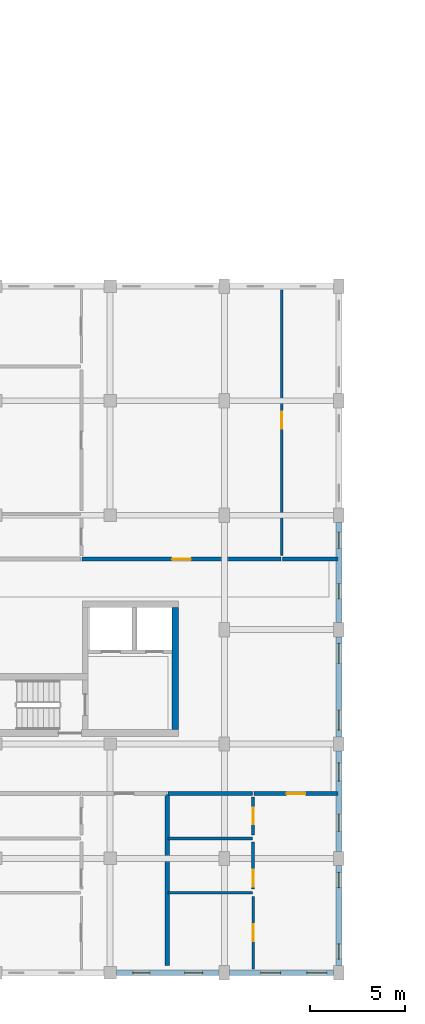
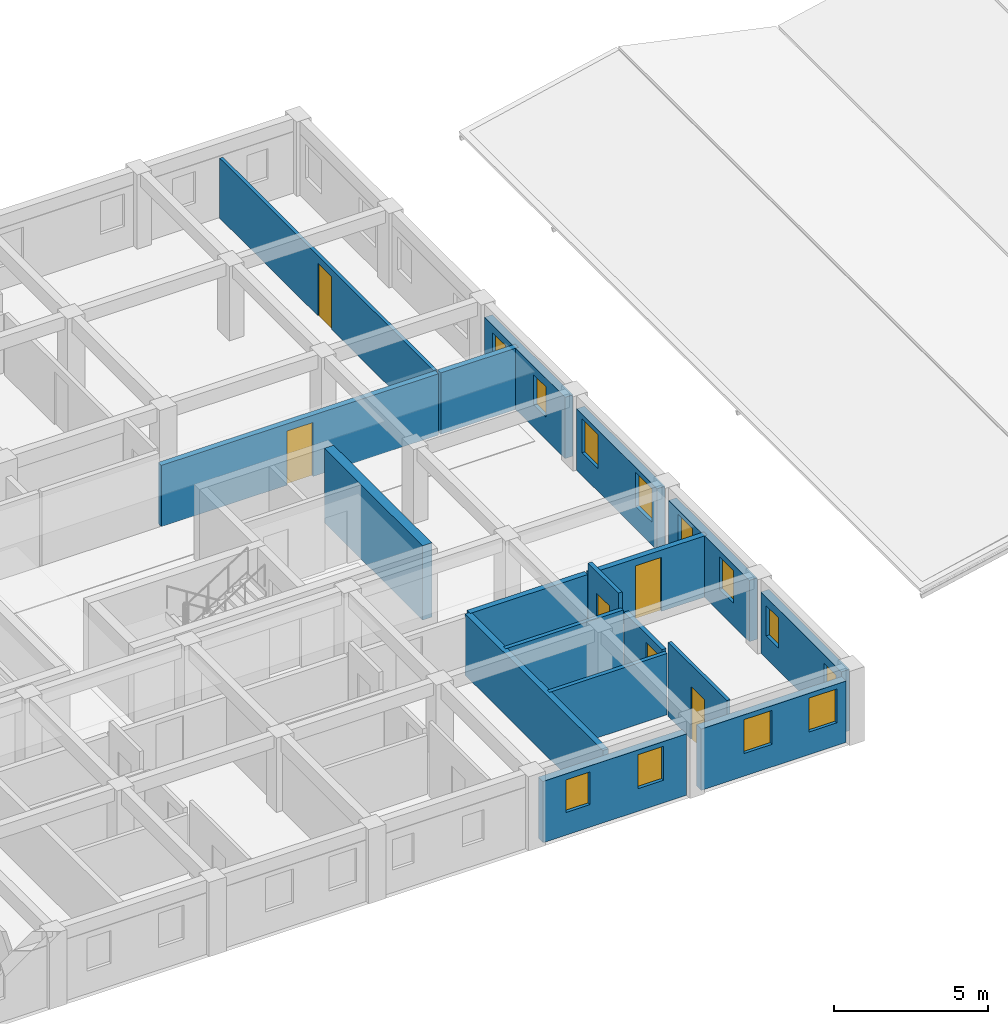
# One storey, part 95 of 123: 18 walls, 12 windows, 6 doors, 18 openings.
"""IFC4 building model written with IfcOpenShell, lengths in metres."""

from ifc_helpers import new_model, si_unit, direction, frame, frame_2d, origin, place, context, subcontext, project, spatial, rectangle, extrude, material, layer, layer_set, type_object, element, fill, save


model = new_model("IFC4")

# Units and contexts
model_context = context("Model", 3, precision=1e-05, world=origin(), true_north=direction((0.0, 1.0)))
body_context = subcontext(model_context, "Body", "Model", "MODEL_VIEW")
ifc_project = project(units=[si_unit("LENGTHUNIT", "METRE"), si_unit("AREAUNIT", "SQUARE_METRE"), si_unit("VOLUMEUNIT", "CUBIC_METRE"), si_unit("PLANEANGLEUNIT", "RADIAN"), si_unit("MASSUNIT", "GRAM", prefix="KILO"), si_unit("POWERUNIT", "WATT"), si_unit("THERMODYNAMICTEMPERATUREUNIT", "KELVIN")], contexts=[model_context])

# Site, building, storey
site_placement = place(None, origin())
site = spatial("IfcSite", under=ifc_project, at=site_placement, CompositionType="ELEMENT")
building_placement = place(site_placement, origin())
building = spatial("IfcBuilding", under=site, at=building_placement, Name="Ruvembo Vaulted Housing Court", CompositionType="ELEMENT")
storey_placement = place(building_placement, frame((0.0, 0.0, 7.699951171875)))
storey = spatial("IfcBuildingStorey", under=building, at=storey_placement, Name="L02", CompositionType="ELEMENT", Elevation=7.699951171875)

# Walls
ifc_material_1 = material(Name="Concrete C35/45", Category="concrete")
ifc_layer_1 = layer(ifc_material_1, 0.35009765625, Name="Concrete C35/45")
ifc_layer_set_1 = layer_set([ifc_layer_1], Name="Concrete C35/45")
wall_type_1 = type_object("IfcWallType", Name="WL-CORE-350", PredefinedType="SHEAR", material=ifc_layer_set_1)
wall_1_placement = place(storey_placement, frame((129.425048828125, 12.75, 0.0), z_axis=(0.0, 0.0, 1.0), x_axis=(0.0, 1.0, 0.0)))
element("IfcWall", 1, at=wall_1_placement, inside=storey, type_object=wall_type_1, Name="Core C2 L02 East Shear Wall", PredefinedType="SHEAR", context=body_context, shape_type="SweptSolid", body=[
    extrude(rectangle(XDim=6.39990234375, YDim=0.35009765625, at=frame_2d((3.199951171875, 0.0))), origin(), (0.0, 0.0, 1.0), 2.955078125),
])
ifc_material_2 = material(Name="Concrete Blockwork 210", Category="masonry")
ifc_layer_2 = layer(ifc_material_2, 0.2099609375, Name="Concrete Blockwork 210")
ifc_layer_set_2 = layer_set([ifc_layer_2], Name="Concrete Blockwork 210")
wall_type_2 = type_object("IfcWallType", Name="WL-CORR-210", PredefinedType="SOLIDWALL", material=ifc_layer_set_2)
wall_2_placement = place(storey_placement, frame((129.0400390625, 9.39990234375, 0.0), z_axis=(0.0, 0.0, 1.0), x_axis=(1.0, 0.0, 0.0)))
element("IfcWall", 2, at=wall_2_placement, inside=storey, type_object=wall_type_2, Name="L02 Flat C-L02-S4 Corridor Wall WL-INT-L02-00606", PredefinedType="SOLIDWALL", context=body_context, shape_type="SweptSolid", body=[
    extrude(rectangle(XDim=4.419921875, YDim=0.2099609375, at=frame_2d((2.2099609375, 0.0))), origin(), (0.0, 0.0, 1.0), 2.43701171875),
])

# Wall, opening, door
wall_3_placement = place(storey_placement, frame((133.5400390625, 9.39990234375, 0.0), z_axis=(0.0, 0.0, 1.0), x_axis=(1.0, 0.0, 0.0)))
wall_3 = element("IfcWall", 3, at=wall_3_placement, inside=storey, type_object=wall_type_2, Name="L02 Flat C-L02-S4 Entrance WL-INT-L02-00607", PredefinedType="SOLIDWALL", context=body_context, shape_type="SweptSolid", body=[
    extrude(rectangle(XDim=4.419921875, YDim=0.2099609375, at=frame_2d((2.2099609375, 0.0))), origin(), (0.0, 0.0, 1.0), 2.43701171875),
])
opening_1_placement = place(wall_3_placement, frame((1.719970703125, 0.0, 0.0)))
opening_1 = element("IfcOpeningElement", 4, at=opening_1_placement, cuts=wall_3, Name="Opening FD2", PredefinedType="OPENING", context=body_context, shape_type="SweptSolid", body=[
    extrude(rectangle(XDim=0.97998046875, YDim=2.14990234375, at=frame_2d((0.489990234375, 1.074951171875))), frame((0.0, 0.114990234375, 0.0), z_axis=(0.0, -1.0, 0.0), x_axis=(1.0, 0.0, 0.0)), (0.0, 0.0, 1.0), 0.22998046875),
])
ifc_material_3 = material(Name="FSC Hardwood and Engineered Timber", Category="wood")
door_type_1 = type_object("IfcDoorType", Name="DR-FLAT-0980x2150", OperationType="NOTDEFINED", PredefinedType="DOOR", material=ifc_material_3)
door_1_placement = place(opening_1_placement, origin())
door_1 = element("IfcDoor", 5, at=door_1_placement, inside=storey, type_object=door_type_1, Name="L02 Flat C-L02-S4 Entrance Door DR-INT-L02-00328", OperationType="SINGLE_SWING_RIGHT", OverallHeight=2.14990234375, OverallWidth=0.97998046875, PredefinedType="DOOR", context=body_context, shape_type="SweptSolid", body=[
    extrude(rectangle(XDim=0.97998046875, YDim=2.14990234375, at=frame_2d((0.489990234375, 1.074951171875))), frame((0.0, 0.02490234375, 0.0), z_axis=(0.0, -1.0, 0.0), x_axis=(1.0, 0.0, 0.0)), (0.0, 0.0, 1.0), 0.050048828125),
])
fill(opening_1, door_1)

wall_4_placement = place(storey_placement, frame((124.5400390625, 21.699951171875, 0.0), z_axis=(0.0, 0.0, 1.0), x_axis=(1.0, 0.0, 0.0)))
wall_4 = element("IfcWall", 6, at=wall_4_placement, inside=storey, type_object=wall_type_2, Name="L02 Flat C-L02-N2 Entrance WL-INT-L02-00624", PredefinedType="SOLIDWALL", context=body_context, shape_type="SweptSolid", body=[
    extrude(rectangle(XDim=10.419921875, YDim=0.2099609375, at=frame_2d((5.2099609375, 0.0))), origin(), (0.0, 0.0, 1.0), 2.43701171875),
])
opening_2_placement = place(wall_4_placement, frame((4.719970703125, 0.0, 0.0)))
opening_2 = element("IfcOpeningElement", 7, at=opening_2_placement, cuts=wall_4, Name="Opening FD2", PredefinedType="OPENING", context=body_context, shape_type="SweptSolid", body=[
    extrude(rectangle(XDim=0.97998046875, YDim=2.14990234375, at=frame_2d((0.489990234375, 1.074951171875))), frame((0.0, 0.114990234375, 0.0), z_axis=(0.0, -1.0, 0.0), x_axis=(1.0, 0.0, 0.0)), (0.0, 0.0, 1.0), 0.22998046875),
])
door_2_placement = place(opening_2_placement, origin())
door_2 = element("IfcDoor", 8, at=door_2_placement, inside=storey, type_object=door_type_1, Name="L02 Flat C-L02-N2 Entrance Door DR-INT-L02-00337", OperationType="SINGLE_SWING_LEFT", OverallHeight=2.14990234375, OverallWidth=0.97998046875, PredefinedType="DOOR", context=body_context, shape_type="SweptSolid", body=[
    extrude(rectangle(XDim=0.97998046875, YDim=2.14990234375, at=frame_2d((0.489990234375, 1.074951171875))), frame((0.0, 0.02490234375, 0.0), z_axis=(0.0, -1.0, 0.0), x_axis=(1.0, 0.0, 0.0)), (0.0, 0.0, 1.0), 0.050048828125),
])
fill(opening_2, door_2)

# Walls
wall_5_placement = place(storey_placement, frame((135.0400390625, 21.699951171875, 0.0), z_axis=(0.0, 0.0, 1.0), x_axis=(1.0, 0.0, 0.0)))
element("IfcWall", 9, at=wall_5_placement, inside=storey, type_object=wall_type_2, Name="L02 Flat C-L02-N2 Corridor Wall 2 WL-INT-L02-00630", PredefinedType="SOLIDWALL", context=body_context, shape_type="SweptSolid", body=[
    extrude(rectangle(XDim=2.919921875, YDim=0.2099609375, at=frame_2d((1.4599609375, 0.0))), origin(), (0.0, 0.0, 1.0), 2.43701171875),
])
ifc_material_4 = material(Name="Acoustic Masonry Demising 220", Category="masonry")
ifc_layer_3 = layer(ifc_material_4, 0.219970703125, Name="Acoustic Masonry Demising 220")
ifc_layer_set_3 = layer_set([ifc_layer_3], Name="Acoustic Masonry Demising 220")
wall_type_3 = type_object("IfcWallType", Name="WL-DEM-200", PredefinedType="SOLIDWALL", material=ifc_layer_set_3)
wall_6_placement = place(storey_placement, frame((129.0, 0.389892578125, 0.0), z_axis=(0.0, 0.0, 1.0), x_axis=(0.0, 1.0, 0.0)))
element("IfcWall", 10, at=wall_6_placement, inside=storey, type_object=wall_type_3, Name="L02 Demising C-L02-S3 WL-INT-L02-00598", PredefinedType="SOLIDWALL", context=body_context, shape_type="SweptSolid", body=[
    extrude(rectangle(XDim=8.97021484375, YDim=0.219970703125, at=frame_2d((4.485107421875, 0.0))), origin(), (0.0, 0.0, 1.0), 2.43701171875),
])

# Wall, openings, windows
ifc_material_5 = material(Name="Rendered Masonry 300", Category="masonry")
ifc_layer_4 = layer(ifc_material_5, 0.300048828125, Name="Rendered Masonry 300")
ifc_layer_set_4 = layer_set([ifc_layer_4], Name="Rendered Masonry 300")
wall_type_4 = type_object("IfcWallType", Name="WL-EXT-300", PredefinedType="STANDARD", material=ifc_layer_set_4)
wall_7_placement = place(storey_placement, frame((126.324951171875, 0.0, 0.0), z_axis=(0.0, 0.0, 1.0), x_axis=(1.0, 0.0, 0.0)))
wall_7 = element("IfcWall", 11, at=wall_7_placement, inside=storey, type_object=wall_type_4, Name="Block C L02 Exterior Wall STREET #5", PredefinedType="STANDARD", context=body_context, shape_type="SweptSolid", body=[
    extrude(rectangle(XDim=5.400146484375, YDim=0.300048828125, at=frame_2d((2.7001953125, 0.0))), origin(), (0.0, 0.0, 1.0), 2.43701171875),
])
opening_3_placement = place(wall_7_placement, frame((0.867431640625, 0.0, 0.89990234375)))
opening_3 = element("IfcOpeningElement", 12, at=opening_3_placement, cuts=wall_7, Name="Opening W04", PredefinedType="OPENING", context=body_context, shape_type="SweptSolid", body=[
    extrude(rectangle(XDim=0.89990234375, YDim=1.300048828125, at=frame_2d((0.449951171875, 0.64990234375))), frame((0.0, 0.159912109375, 0.0), z_axis=(0.0, -1.0, 0.0), x_axis=(1.0, 0.0, 0.0)), (0.0, 0.0, 1.0), 0.320068359375),
])
opening_4_placement = place(wall_7_placement, frame((3.58251953125, 0.0, 0.89990234375)))
opening_4 = element("IfcOpeningElement", 13, at=opening_4_placement, cuts=wall_7, Name="Opening W07", PredefinedType="OPENING", context=body_context, shape_type="SweptSolid", body=[
    extrude(rectangle(XDim=0.949951171875, YDim=1.35009765625, at=frame_2d((0.47509765625, 0.675048828125))), frame((0.0, 0.159912109375, 0.0), z_axis=(0.0, -1.0, 0.0), x_axis=(1.0, 0.0, 0.0)), (0.0, 0.0, 1.0), 0.320068359375),
])
ifc_material_6 = material(Name="Double Solar-Control Glazing in Aluminium Frame", Category="aluminium")
window_type_1 = type_object("IfcWindowType", Name="WIN-0900x1300", PartitioningType="SINGLE_PANEL", PredefinedType="WINDOW", material=ifc_material_6)
window_1_placement = place(opening_3_placement, origin())
window_1 = element("IfcWindow", 14, at=window_1_placement, inside=storey, type_object=window_type_1, Name="Block C L02 Window #1160", OverallHeight=1.300048828125, OverallWidth=0.89990234375, PartitioningType="SINGLE_PANEL", PredefinedType="WINDOW", context=body_context, shape_type="SweptSolid", body=[
    extrude(rectangle(XDim=0.89990234375, YDim=1.300048828125, at=frame_2d((0.449951171875, 0.64990234375))), frame((0.0, 0.030029296875, 0.0), z_axis=(0.0, -1.0, 0.0), x_axis=(1.0, 0.0, 0.0)), (0.0, 0.0, 1.0), 0.06005859375),
])
fill(opening_3, window_1)
window_type_2 = type_object("IfcWindowType", Name="WIN-0950x1350", PartitioningType="SINGLE_PANEL", PredefinedType="WINDOW", material=ifc_material_6)
window_2_placement = place(opening_4_placement, origin())
window_2 = element("IfcWindow", 15, at=window_2_placement, inside=storey, type_object=window_type_2, Name="Block C L02 Window #1161", OverallHeight=1.35009765625, OverallWidth=0.949951171875, PartitioningType="SINGLE_PANEL", PredefinedType="WINDOW", context=body_context, shape_type="SweptSolid", body=[
    extrude(rectangle(XDim=0.949951171875, YDim=1.35009765625, at=frame_2d((0.47509765625, 0.675048828125))), frame((0.0, 0.030029296875, 0.0), z_axis=(0.0, -1.0, 0.0), x_axis=(1.0, 0.0, 0.0)), (0.0, 0.0, 1.0), 0.06005859375),
])
fill(opening_4, window_2)

wall_8_placement = place(storey_placement, frame((132.27490234375, 0.0, 0.0), z_axis=(0.0, 0.0, 1.0), x_axis=(1.0, 0.0, 0.0)))
wall_8 = element("IfcWall", 16, at=wall_8_placement, inside=storey, type_object=wall_type_4, Name="Block C L02 Exterior Wall STREET #6", PredefinedType="STANDARD", context=body_context, shape_type="SweptSolid", body=[
    extrude(rectangle(XDim=5.4501953125, YDim=0.300048828125, at=frame_2d((2.72509765625, 0.0))), origin(), (0.0, 0.0, 1.0), 2.43701171875),
])
opening_5_placement = place(wall_8_placement, frame((1.614990234375, 0.0, 0.89990234375)))
opening_5 = element("IfcOpeningElement", 17, at=opening_5_placement, cuts=wall_8, Name="Opening W09", PredefinedType="OPENING", context=body_context, shape_type="SweptSolid", body=[
    extrude(rectangle(XDim=1.050048828125, YDim=1.35009765625, at=frame_2d((0.52490234375, 0.675048828125))), frame((0.0, 0.159912109375, 0.0), z_axis=(0.0, -1.0, 0.0), x_axis=(1.0, 0.0, 0.0)), (0.0, 0.0, 1.0), 0.320068359375),
])
opening_6_placement = place(wall_8_placement, frame((4.050048828125, 0.0, 0.89990234375)))
opening_6 = element("IfcOpeningElement", 18, at=opening_6_placement, cuts=wall_8, Name="Opening W09", PredefinedType="OPENING", context=body_context, shape_type="SweptSolid", body=[
    extrude(rectangle(XDim=1.050048828125, YDim=1.35009765625, at=frame_2d((0.52490234375, 0.675048828125))), frame((0.0, 0.159912109375, 0.0), z_axis=(0.0, -1.0, 0.0), x_axis=(1.0, 0.0, 0.0)), (0.0, 0.0, 1.0), 0.320068359375),
])
window_type_3 = type_object("IfcWindowType", Name="WIN-1050x1350", PartitioningType="SINGLE_PANEL", PredefinedType="WINDOW", material=ifc_material_6)
window_3_placement = place(opening_5_placement, origin())
window_3 = element("IfcWindow", 19, at=window_3_placement, inside=storey, type_object=window_type_3, Name="Block C L02 Window #1162", OverallHeight=1.35009765625, OverallWidth=1.050048828125, PartitioningType="SINGLE_PANEL", PredefinedType="WINDOW", context=body_context, shape_type="SweptSolid", body=[
    extrude(rectangle(XDim=1.050048828125, YDim=1.35009765625, at=frame_2d((0.52490234375, 0.675048828125))), frame((0.0, 0.030029296875, 0.0), z_axis=(0.0, -1.0, 0.0), x_axis=(1.0, 0.0, 0.0)), (0.0, 0.0, 1.0), 0.06005859375),
])
fill(opening_5, window_3)
window_4_placement = place(opening_6_placement, origin())
window_4 = element("IfcWindow", 20, at=window_4_placement, inside=storey, type_object=window_type_3, Name="Block C L02 Window #1163", OverallHeight=1.35009765625, OverallWidth=1.050048828125, PartitioningType="SINGLE_PANEL", PredefinedType="WINDOW", context=body_context, shape_type="SweptSolid", body=[
    extrude(rectangle(XDim=1.050048828125, YDim=1.35009765625, at=frame_2d((0.52490234375, 0.675048828125))), frame((0.0, 0.030029296875, 0.0), z_axis=(0.0, -1.0, 0.0), x_axis=(1.0, 0.0, 0.0)), (0.0, 0.0, 1.0), 0.06005859375),
])
fill(opening_6, window_4)

wall_9_placement = place(storey_placement, frame((138.0, 0.375, 0.0), z_axis=(0.0, 0.0, 1.0), x_axis=(0.0, 1.0, 0.0)))
wall_9 = element("IfcWall", 21, at=wall_9_placement, inside=storey, type_object=wall_type_4, Name="Block C L02 Exterior Wall EAST #1", PredefinedType="STANDARD", context=body_context, shape_type="SweptSolid", body=[
    extrude(rectangle(XDim=5.25, YDim=0.300048828125, at=frame_2d((2.625, 0.0))), origin(), (0.0, 0.0, 1.0), 2.43701171875),
])
opening_7_placement = place(wall_9_placement, frame((0.35009765625, 0.0, 0.89990234375)))
opening_7 = element("IfcOpeningElement", 22, at=opening_7_placement, cuts=wall_9, Name="Opening W02", PredefinedType="OPENING", context=body_context, shape_type="SweptSolid", body=[
    extrude(rectangle(XDim=0.800048828125, YDim=1.199951171875, at=frame_2d((0.39990234375, 0.60009765625))), frame((0.0, 0.159912109375, 0.0), z_axis=(0.0, -1.0, 0.0), x_axis=(1.0, 0.0, 0.0)), (0.0, 0.0, 1.0), 0.320068359375),
])
opening_8_placement = place(wall_9_placement, frame((4.10009765625, 0.0, 0.89990234375)))
opening_8 = element("IfcOpeningElement", 23, at=opening_8_placement, cuts=wall_9, Name="Opening W02", PredefinedType="OPENING", context=body_context, shape_type="SweptSolid", body=[
    extrude(rectangle(XDim=0.800048828125, YDim=1.199951171875, at=frame_2d((0.39990234375, 0.60009765625))), frame((0.0, 0.159912109375, 0.0), z_axis=(0.0, -1.0, 0.0), x_axis=(1.0, 0.0, 0.0)), (0.0, 0.0, 1.0), 0.320068359375),
])
window_type_4 = type_object("IfcWindowType", Name="WIN-0800x1200", PartitioningType="SINGLE_PANEL", PredefinedType="WINDOW", material=ifc_material_6)
window_5_placement = place(opening_7_placement, origin())
window_5 = element("IfcWindow", 24, at=window_5_placement, inside=storey, type_object=window_type_4, Name="Block C L02 Window #1164", OverallHeight=1.199951171875, OverallWidth=0.800048828125, PartitioningType="SINGLE_PANEL", PredefinedType="WINDOW", context=body_context, shape_type="SweptSolid", body=[
    extrude(rectangle(XDim=0.800048828125, YDim=1.199951171875, at=frame_2d((0.39990234375, 0.60009765625))), frame((0.0, 0.030029296875, 0.0), z_axis=(0.0, -1.0, 0.0), x_axis=(1.0, 0.0, 0.0)), (0.0, 0.0, 1.0), 0.06005859375),
])
fill(opening_7, window_5)
window_6_placement = place(opening_8_placement, origin())
window_6 = element("IfcWindow", 25, at=window_6_placement, inside=storey, type_object=window_type_4, Name="Block C L02 Window #1165", OverallHeight=1.199951171875, OverallWidth=0.800048828125, PartitioningType="SINGLE_PANEL", PredefinedType="WINDOW", context=body_context, shape_type="SweptSolid", body=[
    extrude(rectangle(XDim=0.800048828125, YDim=1.199951171875, at=frame_2d((0.39990234375, 0.60009765625))), frame((0.0, 0.030029296875, 0.0), z_axis=(0.0, -1.0, 0.0), x_axis=(1.0, 0.0, 0.0)), (0.0, 0.0, 1.0), 0.06005859375),
])
fill(opening_8, window_6)

wall_10_placement = place(storey_placement, frame((138.0, 6.375, 0.0), z_axis=(0.0, 0.0, 1.0), x_axis=(0.0, 1.0, 0.0)))
wall_10 = element("IfcWall", 26, at=wall_10_placement, inside=storey, type_object=wall_type_4, Name="Block C L02 Exterior Wall EAST #2", PredefinedType="STANDARD", context=body_context, shape_type="SweptSolid", body=[
    extrude(rectangle(XDim=5.25, YDim=0.300048828125, at=frame_2d((2.625, 0.0))), origin(), (0.0, 0.0, 1.0), 2.43701171875),
])
opening_9_placement = place(wall_10_placement, frame((1.04248046875, 0.0, 0.89990234375)))
opening_9 = element("IfcOpeningElement", 27, at=opening_9_placement, cuts=wall_10, Name="Opening W04", PredefinedType="OPENING", context=body_context, shape_type="SweptSolid", body=[
    extrude(rectangle(XDim=0.89990234375, YDim=1.300048828125, at=frame_2d((0.449951171875, 0.64990234375))), frame((0.0, 0.159912109375, 0.0), z_axis=(0.0, -1.0, 0.0), x_axis=(1.0, 0.0, 0.0)), (0.0, 0.0, 1.0), 0.320068359375),
])
opening_10_placement = place(wall_10_placement, frame((3.6826171875, 0.0, 0.89990234375)))
opening_10 = element("IfcOpeningElement", 28, at=opening_10_placement, cuts=wall_10, Name="Opening W07", PredefinedType="OPENING", context=body_context, shape_type="SweptSolid", body=[
    extrude(rectangle(XDim=0.949951171875, YDim=1.35009765625, at=frame_2d((0.47509765625, 0.675048828125))), frame((0.0, 0.159912109375, 0.0), z_axis=(0.0, -1.0, 0.0), x_axis=(1.0, 0.0, 0.0)), (0.0, 0.0, 1.0), 0.320068359375),
])
window_7_placement = place(opening_9_placement, origin())
window_7 = element("IfcWindow", 29, at=window_7_placement, inside=storey, type_object=window_type_1, Name="Block C L02 Window #1166", OverallHeight=1.300048828125, OverallWidth=0.89990234375, PartitioningType="SINGLE_PANEL", PredefinedType="WINDOW", context=body_context, shape_type="SweptSolid", body=[
    extrude(rectangle(XDim=0.89990234375, YDim=1.300048828125, at=frame_2d((0.449951171875, 0.64990234375))), frame((0.0, 0.030029296875, 0.0), z_axis=(0.0, -1.0, 0.0), x_axis=(1.0, 0.0, 0.0)), (0.0, 0.0, 1.0), 0.06005859375),
])
fill(opening_9, window_7)
window_8_placement = place(opening_10_placement, origin())
window_8 = element("IfcWindow", 30, at=window_8_placement, inside=storey, type_object=window_type_2, Name="Block C L02 Window #1167", OverallHeight=1.35009765625, OverallWidth=0.949951171875, PartitioningType="SINGLE_PANEL", PredefinedType="WINDOW", context=body_context, shape_type="SweptSolid", body=[
    extrude(rectangle(XDim=0.949951171875, YDim=1.35009765625, at=frame_2d((0.47509765625, 0.675048828125))), frame((0.0, 0.030029296875, 0.0), z_axis=(0.0, -1.0, 0.0), x_axis=(1.0, 0.0, 0.0)), (0.0, 0.0, 1.0), 0.06005859375),
])
fill(opening_10, window_8)

wall_11_placement = place(storey_placement, frame((138.0, 12.375, 0.0), z_axis=(0.0, 0.0, 1.0), x_axis=(0.0, 1.0, 0.0)))
wall_11 = element("IfcWall", 31, at=wall_11_placement, inside=storey, type_object=wall_type_4, Name="Block C L02 Exterior Wall EAST #3", PredefinedType="STANDARD", context=body_context, shape_type="SweptSolid", body=[
    extrude(rectangle(XDim=5.25, YDim=0.300048828125, at=frame_2d((2.625, 0.0))), origin(), (0.0, 0.0, 1.0), 2.43701171875),
])
opening_11_placement = place(wall_11_placement, frame((0.35009765625, 0.0, 0.89990234375)))
opening_11 = element("IfcOpeningElement", 32, at=opening_11_placement, cuts=wall_11, Name="Opening W09", PredefinedType="OPENING", context=body_context, shape_type="SweptSolid", body=[
    extrude(rectangle(XDim=1.050048828125, YDim=1.35009765625, at=frame_2d((0.52490234375, 0.675048828125))), frame((0.0, 0.159912109375, 0.0), z_axis=(0.0, -1.0, 0.0), x_axis=(1.0, 0.0, 0.0)), (0.0, 0.0, 1.0), 0.320068359375),
])
opening_12_placement = place(wall_11_placement, frame((3.85009765625, 0.0, 0.89990234375)))
opening_12 = element("IfcOpeningElement", 33, at=opening_12_placement, cuts=wall_11, Name="Opening W09", PredefinedType="OPENING", context=body_context, shape_type="SweptSolid", body=[
    extrude(rectangle(XDim=1.050048828125, YDim=1.35009765625, at=frame_2d((0.52490234375, 0.675048828125))), frame((0.0, 0.159912109375, 0.0), z_axis=(0.0, -1.0, 0.0), x_axis=(1.0, 0.0, 0.0)), (0.0, 0.0, 1.0), 0.320068359375),
])
window_9_placement = place(opening_11_placement, origin())
window_9 = element("IfcWindow", 34, at=window_9_placement, inside=storey, type_object=window_type_3, Name="Block C L02 Window #1168", OverallHeight=1.35009765625, OverallWidth=1.050048828125, PartitioningType="SINGLE_PANEL", PredefinedType="WINDOW", context=body_context, shape_type="SweptSolid", body=[
    extrude(rectangle(XDim=1.050048828125, YDim=1.35009765625, at=frame_2d((0.52490234375, 0.675048828125))), frame((0.0, 0.030029296875, 0.0), z_axis=(0.0, -1.0, 0.0), x_axis=(1.0, 0.0, 0.0)), (0.0, 0.0, 1.0), 0.06005859375),
])
fill(opening_11, window_9)
window_10_placement = place(opening_12_placement, origin())
window_10 = element("IfcWindow", 35, at=window_10_placement, inside=storey, type_object=window_type_3, Name="Block C L02 Window #1169", OverallHeight=1.35009765625, OverallWidth=1.050048828125, PartitioningType="SINGLE_PANEL", PredefinedType="WINDOW", context=body_context, shape_type="SweptSolid", body=[
    extrude(rectangle(XDim=1.050048828125, YDim=1.35009765625, at=frame_2d((0.52490234375, 0.675048828125))), frame((0.0, 0.030029296875, 0.0), z_axis=(0.0, -1.0, 0.0), x_axis=(1.0, 0.0, 0.0)), (0.0, 0.0, 1.0), 0.06005859375),
])
fill(opening_12, window_10)

wall_12_placement = place(storey_placement, frame((138.0, 18.375, 0.0), z_axis=(0.0, 0.0, 1.0), x_axis=(0.0, 1.0, 0.0)))
wall_12 = element("IfcWall", 36, at=wall_12_placement, inside=storey, type_object=wall_type_4, Name="Block C L02 Exterior Wall EAST #4", PredefinedType="STANDARD", context=body_context, shape_type="SweptSolid", body=[
    extrude(rectangle(XDim=5.25, YDim=0.300048828125, at=frame_2d((2.625, 0.0))), origin(), (0.0, 0.0, 1.0), 2.43701171875),
])
opening_13_placement = place(wall_12_placement, frame((1.242431640625, 0.0, 0.89990234375)))
opening_13 = element("IfcOpeningElement", 37, at=opening_13_placement, cuts=wall_12, Name="Opening W02", PredefinedType="OPENING", context=body_context, shape_type="SweptSolid", body=[
    extrude(rectangle(XDim=0.800048828125, YDim=1.199951171875, at=frame_2d((0.39990234375, 0.60009765625))), frame((0.0, 0.159912109375, 0.0), z_axis=(0.0, -1.0, 0.0), x_axis=(1.0, 0.0, 0.0)), (0.0, 0.0, 1.0), 0.320068359375),
])
opening_14_placement = place(wall_12_placement, frame((3.882568359375, 0.0, 0.89990234375)))
opening_14 = element("IfcOpeningElement", 38, at=opening_14_placement, cuts=wall_12, Name="Opening W03", PredefinedType="OPENING", context=body_context, shape_type="SweptSolid", body=[
    extrude(rectangle(XDim=0.85009765625, YDim=1.25, at=frame_2d((0.425048828125, 0.625))), frame((0.0, 0.159912109375, 0.0), z_axis=(0.0, -1.0, 0.0), x_axis=(1.0, 0.0, 0.0)), (0.0, 0.0, 1.0), 0.320068359375),
])
window_11_placement = place(opening_13_placement, origin())
window_11 = element("IfcWindow", 39, at=window_11_placement, inside=storey, type_object=window_type_4, Name="Block C L02 Window #1170", OverallHeight=1.199951171875, OverallWidth=0.800048828125, PartitioningType="SINGLE_PANEL", PredefinedType="WINDOW", context=body_context, shape_type="SweptSolid", body=[
    extrude(rectangle(XDim=0.800048828125, YDim=1.199951171875, at=frame_2d((0.39990234375, 0.60009765625))), frame((0.0, 0.030029296875, 0.0), z_axis=(0.0, -1.0, 0.0), x_axis=(1.0, 0.0, 0.0)), (0.0, 0.0, 1.0), 0.06005859375),
])
fill(opening_13, window_11)
window_type_5 = type_object("IfcWindowType", Name="WIN-0850x1250", PartitioningType="SINGLE_PANEL", PredefinedType="WINDOW", material=ifc_material_6)
window_12_placement = place(opening_14_placement, origin())
window_12 = element("IfcWindow", 40, at=window_12_placement, inside=storey, type_object=window_type_5, Name="Block C L02 Window #1171", OverallHeight=1.25, OverallWidth=0.85009765625, PartitioningType="SINGLE_PANEL", PredefinedType="WINDOW", context=body_context, shape_type="SweptSolid", body=[
    extrude(rectangle(XDim=0.85009765625, YDim=1.25, at=frame_2d((0.425048828125, 0.625))), frame((0.0, 0.030029296875, 0.0), z_axis=(0.0, -1.0, 0.0), x_axis=(1.0, 0.0, 0.0)), (0.0, 0.0, 1.0), 0.06005859375),
])
fill(opening_14, window_12)

# Wall, opening, door
ifc_material_7 = material(Name="Plasterboard Stud Partition 125", Category="gypsum")
ifc_layer_5 = layer(ifc_material_7, 0.125, Name="Plasterboard Stud Partition 125")
ifc_layer_set_5 = layer_set([ifc_layer_5], Name="Plasterboard Stud Partition 125")
wall_type_5 = type_object("IfcWallType", Name="WL-PART-125", PredefinedType="PARTITIONING", material=ifc_layer_set_5)
wall_13_placement = place(storey_placement, frame((133.5, 0.18994140625, 0.0), z_axis=(0.0, 0.0, 1.0), x_axis=(0.0, 1.0, 0.0)))
wall_13 = element("IfcWall", 41, at=wall_13_placement, inside=storey, type_object=wall_type_5, Name="L02 Flat C-L02-S4 Bedroom 1 WL-INT-L02-00608", PredefinedType="PARTITIONING", context=body_context, shape_type="SweptSolid", body=[
    extrude(rectangle(XDim=3.820068359375, YDim=0.125, at=frame_2d((1.91015625, 0.0))), origin(), (0.0, 0.0, 1.0), 2.955078125),
])
opening_15_placement = place(wall_13_placement, frame((1.469970703125, 0.0, 0.0)))
opening_15 = element("IfcOpeningElement", 42, at=opening_15_placement, cuts=wall_13, Name="Opening ID3", PredefinedType="OPENING", context=body_context, shape_type="SweptSolid", body=[
    extrude(rectangle(XDim=0.8798828125, YDim=2.10009765625, at=frame_2d((0.43994140625, 1.050048828125))), frame((0.0, 0.072509765625, 0.0), z_axis=(0.0, -1.0, 0.0), x_axis=(1.0, 0.0, 0.0)), (0.0, 0.0, 1.0), 0.14501953125),
])
door_type_2 = type_object("IfcDoorType", Name="DR-ROOM-0880x2100", OperationType="NOTDEFINED", PredefinedType="DOOR", material=ifc_material_3)
door_3_placement = place(opening_15_placement, origin())
door_3 = element("IfcDoor", 43, at=door_3_placement, inside=storey, type_object=door_type_2, Name="L02 Flat C-L02-S4 Bedroom 1 Door DR-INT-L02-00329", OperationType="SINGLE_SWING_LEFT", OverallHeight=2.10009765625, OverallWidth=0.8798828125, PredefinedType="DOOR", context=body_context, shape_type="SweptSolid", body=[
    extrude(rectangle(XDim=0.8798828125, YDim=2.10009765625, at=frame_2d((0.43994140625, 1.050048828125))), frame((0.0, 0.02490234375, 0.0), z_axis=(0.0, -1.0, 0.0), x_axis=(1.0, 0.0, 0.0)), (0.0, 0.0, 1.0), 0.050048828125),
])
fill(opening_15, door_3)

wall_14_placement = place(storey_placement, frame((135.0, 21.889892578125, 0.0), z_axis=(0.0, 0.0, 1.0), x_axis=(0.0, 1.0, 0.0)))
wall_14 = element("IfcWall", 44, at=wall_14_placement, inside=storey, type_object=wall_type_5, Name="L02 Flat C-L02-N2 Bedroom 2 WL-INT-L02-00631", PredefinedType="PARTITIONING", context=body_context, shape_type="SweptSolid", body=[
    extrude(rectangle(XDim=13.920166015625, YDim=0.125, at=frame_2d((6.9599609375, 0.0))), origin(), (0.0, 0.0, 1.0), 2.386962890625),
])
opening_16_placement = place(wall_14_placement, frame((6.64990234375, 0.0, 0.0)))
opening_16 = element("IfcOpeningElement", 45, at=opening_16_placement, cuts=wall_14, Name="Opening ID3", PredefinedType="OPENING", context=body_context, shape_type="SweptSolid", body=[
    extrude(rectangle(XDim=0.8798828125, YDim=2.10009765625, at=frame_2d((0.43994140625, 1.050048828125))), frame((0.0, 0.072509765625, 0.0), z_axis=(0.0, -1.0, 0.0), x_axis=(1.0, 0.0, 0.0)), (0.0, 0.0, 1.0), 0.14501953125),
])
door_4_placement = place(opening_16_placement, origin())
door_4 = element("IfcDoor", 46, at=door_4_placement, inside=storey, type_object=door_type_2, Name="L02 Flat C-L02-N2 Bedroom 2 Door DR-INT-L02-00341", OperationType="SINGLE_SWING_LEFT", OverallHeight=2.10009765625, OverallWidth=0.8798828125, PredefinedType="DOOR", context=body_context, shape_type="SweptSolid", body=[
    extrude(rectangle(XDim=0.8798828125, YDim=2.10009765625, at=frame_2d((0.43994140625, 1.050048828125))), frame((0.0, 0.02490234375, 0.0), z_axis=(0.0, -1.0, 0.0), x_axis=(1.0, 0.0, 0.0)), (0.0, 0.0, 1.0), 0.050048828125),
])
fill(opening_16, door_4)

ifc_material_8 = material(Name="Moisture-Resistant Wet Partition 150", Category="gypsum")
ifc_layer_6 = layer(ifc_material_8, 0.14990234375, Name="Moisture-Resistant Wet Partition 150")
ifc_layer_set_6 = layer_set([ifc_layer_6], Name="Moisture-Resistant Wet Partition 150")
wall_type_6 = type_object("IfcWallType", Name="WL-PART-150", PredefinedType="PARTITIONING", material=ifc_layer_set_6)
wall_15_placement = place(storey_placement, frame((133.5, 7.239990234375, 0.0), z_axis=(0.0, 0.0, 1.0), x_axis=(0.0, 1.0, 0.0)))
wall_15 = element("IfcWall", 47, at=wall_15_placement, inside=storey, type_object=wall_type_6, Name="L02 Flat C-L02-S4 Bathroom WL-INT-L02-00610", PredefinedType="PARTITIONING", context=body_context, shape_type="SweptSolid", body=[
    extrude(rectangle(XDim=1.969970703125, YDim=0.14990234375, at=frame_2d((0.98486328125, 0.0))), origin(), (0.0, 0.0, 1.0), 2.955078125),
])
opening_17_placement = place(wall_15_placement, frame((0.56005859375, 0.0, 0.0)))
opening_17 = element("IfcOpeningElement", 48, at=opening_17_placement, cuts=wall_15, Name="Opening ID2", PredefinedType="OPENING", context=body_context, shape_type="SweptSolid", body=[
    extrude(rectangle(XDim=0.85009765625, YDim=2.10009765625, at=frame_2d((0.425048828125, 1.050048828125))), frame((0.0, 0.0849609375, 0.0), z_axis=(0.0, -1.0, 0.0), x_axis=(1.0, 0.0, 0.0)), (0.0, 0.0, 1.0), 0.169921875),
])
door_type_3 = type_object("IfcDoorType", Name="DR-WET-0850x2100", OperationType="NOTDEFINED", PredefinedType="DOOR", material=ifc_material_3)
door_5_placement = place(opening_17_placement, origin())
door_5 = element("IfcDoor", 49, at=door_5_placement, inside=storey, type_object=door_type_3, Name="L02 Flat C-L02-S4 Bathroom Door DR-INT-L02-00331", OperationType="SINGLE_SWING_LEFT", OverallHeight=2.10009765625, OverallWidth=0.85009765625, PredefinedType="DOOR", context=body_context, shape_type="SweptSolid", body=[
    extrude(rectangle(XDim=0.85009765625, YDim=2.10009765625, at=frame_2d((0.425048828125, 1.050048828125))), frame((0.0, 0.02490234375, 0.0), z_axis=(0.0, -1.0, 0.0), x_axis=(1.0, 0.0, 0.0)), (0.0, 0.0, 1.0), 0.050048828125),
])
fill(opening_17, door_5)

# Walls
for number, where, z_axis, x_axis, name in (
    (50, (129.0400390625, 4.199951171875, 0.0), (0.0, 0.0, 1.0), (1.0, 0.0, 0.0), "L02 Flat C-L02-S4 Wet Wall 1 WL-INT-L02-00611"),
    (51, (129.0400390625, 7.050048828125, 0.0), (0.0, 0.0, 1.0), (1.0, 0.0, 0.0), "L02 Flat C-L02-S4 Wet Wall 2 WL-INT-L02-00612"),
):
    element("IfcWall", number, at=place(storey_placement, frame(where, z_axis=z_axis, x_axis=x_axis)), inside=storey, type_object=wall_type_6, Name=name, PredefinedType="PARTITIONING", context=body_context, shape_type="SweptSolid", body=[
        extrude(rectangle(XDim=4.419921875, YDim=0.14990234375, at=frame_2d((2.2099609375, 0.0))), origin(), (0.0, 0.0, 1.0), 2.43701171875),
    ])

# Wall, opening, door
ifc_material_9 = material(Name="Acoustic Service Chase Wall 160", Category="gypsum")
ifc_layer_7 = layer(ifc_material_9, 0.159912109375, Name="Acoustic Service Chase Wall 160")
ifc_layer_set_7 = layer_set([ifc_layer_7], Name="Acoustic Service Chase Wall 160")
wall_type_7 = type_object("IfcWallType", Name="WL-PLUMB-160", PredefinedType="PLUMBINGWALL", material=ifc_layer_set_7)
wall_16_placement = place(storey_placement, frame((133.5, 4.389892578125, 0.0), z_axis=(0.0, 0.0, 1.0), x_axis=(0.0, 1.0, 0.0)))
wall_16 = element("IfcWall", 52, at=wall_16_placement, inside=storey, type_object=wall_type_7, Name="L02 Flat C-L02-S4 Kitchen WL-INT-L02-00609", PredefinedType="PLUMBINGWALL", context=body_context, shape_type="SweptSolid", body=[
    extrude(rectangle(XDim=2.47021484375, YDim=0.159912109375, at=frame_2d((1.235107421875, 0.0))), origin(), (0.0, 0.0, 1.0), 2.43701171875),
])
opening_18_placement = place(wall_16_placement, frame((0.1298828125, 0.0, 0.0)))
opening_18 = element("IfcOpeningElement", 53, at=opening_18_placement, cuts=wall_16, Name="Opening ID1", PredefinedType="OPENING", context=body_context, shape_type="SweptSolid", body=[
    extrude(rectangle(XDim=0.89990234375, YDim=2.10009765625, at=frame_2d((0.449951171875, 1.050048828125))), frame((0.0, 0.08984375, 0.0), z_axis=(0.0, -1.0, 0.0), x_axis=(1.0, 0.0, 0.0)), (0.0, 0.0, 1.0), 0.179931640625),
])
door_type_4 = type_object("IfcDoorType", Name="DR-ROOM-0900x2100", OperationType="NOTDEFINED", PredefinedType="DOOR", material=ifc_material_3)
door_6_placement = place(opening_18_placement, origin())
door_6 = element("IfcDoor", 54, at=door_6_placement, inside=storey, type_object=door_type_4, Name="L02 Flat C-L02-S4 Kitchen Door DR-INT-L02-00330", OperationType="SINGLE_SWING_RIGHT", OverallHeight=2.10009765625, OverallWidth=0.89990234375, PredefinedType="DOOR", context=body_context, shape_type="SweptSolid", body=[
    extrude(rectangle(XDim=0.89990234375, YDim=2.10009765625, at=frame_2d((0.449951171875, 1.050048828125))), frame((0.0, 0.02490234375, 0.0), z_axis=(0.0, -1.0, 0.0), x_axis=(1.0, 0.0, 0.0)), (0.0, 0.0, 1.0), 0.050048828125),
])
fill(opening_18, door_6)

save(model, "model.ifc")
